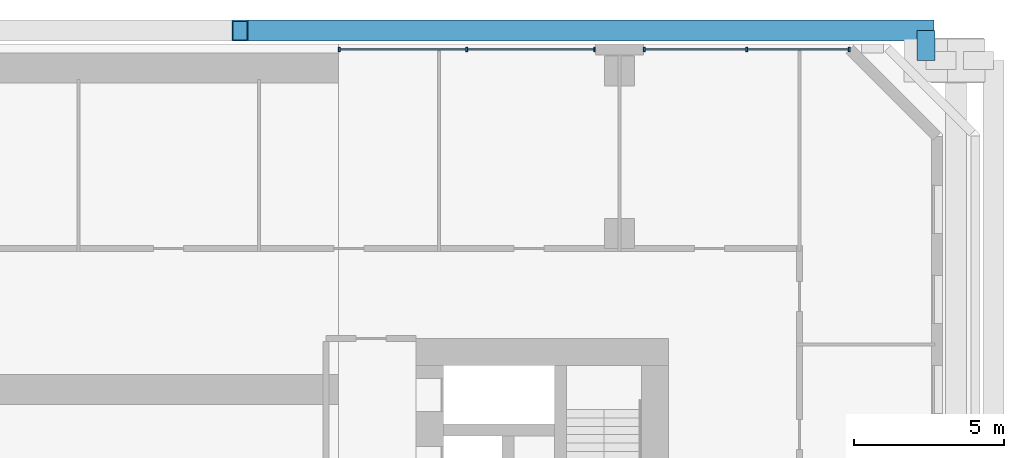
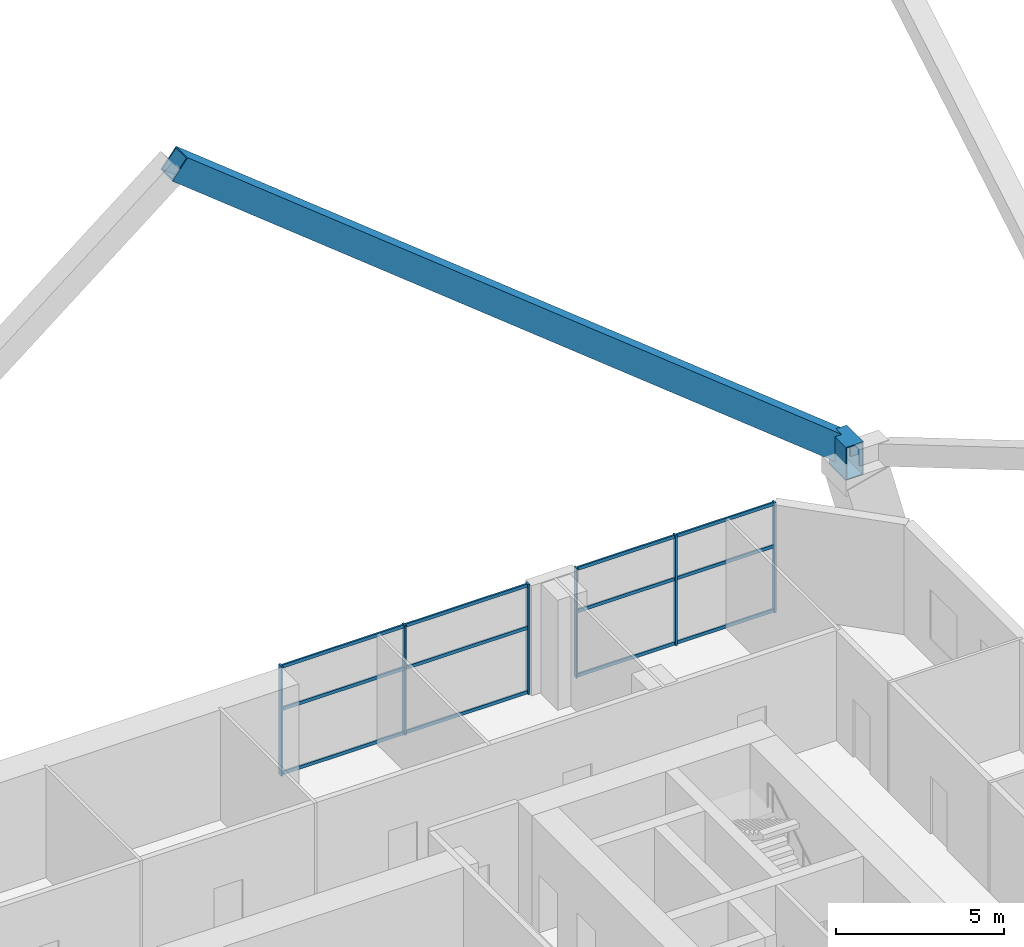
# One storey, part 14 of 25: 19 members, 1 beam, 2 elements without a shape of their own.
"""IFC4 building model written with IfcOpenShell, lengths in metres."""

from ifc_helpers import new_model, si_unit, direction, frame, origin, origin_2d, place, context, subcontext, project, spatial, rectangle, hollow_rectangle, extrude, material, material_profile, profile_set, type_object, element, aggregate, save


model = new_model("IFC4")

# Units and contexts
model_context = context("Model", 3, precision=1e-05, world=origin(), true_north=direction((0.0, 1.0)))
body_context = subcontext(model_context, "Body", "Model", "MODEL_VIEW")
ifc_project = project(units=[si_unit("LENGTHUNIT", "METRE"), si_unit("AREAUNIT", "SQUARE_METRE"), si_unit("VOLUMEUNIT", "CUBIC_METRE"), si_unit("PLANEANGLEUNIT", "RADIAN"), si_unit("MASSUNIT", "GRAM", prefix="KILO")], contexts=[model_context])

# Site, building, storey
site_placement = place(None, origin())
site = spatial("IfcSite", under=ifc_project, at=site_placement, CompositionType="ELEMENT")
building_placement = place(site_placement, origin())
building = spatial("IfcBuilding", under=site, at=building_placement, Name="Tuart Gate Housing", CompositionType="ELEMENT")
storey_placement = place(building_placement, frame((0.0, 0.0, 14.699951171875)))
storey = spatial("IfcBuildingStorey", under=building, at=storey_placement, Name="L03", CompositionType="ELEMENT", Elevation=14.699951171875)

# Beam
ifc_material_1 = material(Name="Steel Grade 350", Category="steel")
ifc_material_profile_1 = material_profile(ifc_material_1, hollow_rectangle(XDim=0.60009765625, YDim=1.199951171875, WallThickness=0.0400390625, at=origin_2d()), Name="BOX 1200x600x40")
ifc_profile_set_1 = profile_set([ifc_material_profile_1], Name="Steel Grade 350")
beam_type = type_object("IfcBeamType", Name="Brace shoe BOX 1200x600x40", PredefinedType="BEAM", material=ifc_profile_set_1)
beam_placement = place(storey_placement, frame((177.199951171875, 85.449951171875, 4.800048828125), z_axis=(0.0, 1.0, 0.0), x_axis=(-1.0, 0.0, 0.0)))
element("IfcBeam", 1, at=beam_placement, inside=storey, type_object=beam_type, Name="Mega brace shoe B zone 1 north chevron 2", PredefinedType="BEAM", context=body_context, shape_type="SweptSolid", body=[
    extrude(hollow_rectangle(XDim=0.60009765625, YDim=1.199951171875, WallThickness=0.0400390625, at=origin_2d()), origin(), (0.0, 0.0, 1.0), 1.0),
])

# Member
ifc_material_2 = material(Name="Steel Grade 350", Category="steel")
ifc_material_profile_2 = material_profile(ifc_material_2, hollow_rectangle(XDim=0.699951171875, YDim=0.85009765625, WallThickness=0.0419921875, at=origin_2d()), Name="BOX 850x700x42")
ifc_profile_set_2 = profile_set([ifc_material_profile_2], Name="Steel Grade 350")
member_type_1 = type_object("IfcMemberType", Name="Mega brace BOX 850x700x42", PredefinedType="BRACE", material=ifc_profile_set_2)
member_1_placement = place(storey_placement, frame((177.199951171875, 86.449951171875, 4.800048828125), z_axis=(-0.781870554364, 0.0, 0.623440804101), x_axis=(0.0, -1.0, 0.0)))
element("IfcMember", 2, at=member_1_placement, inside=storey, type_object=member_type_1, Name="Mega brace B zone 1 north chevron 2", PredefinedType="BRACE", context=body_context, shape_type="SweptSolid", body=[
    extrude(hollow_rectangle(XDim=0.699951171875, YDim=0.85009765625, WallThickness=0.0419921875, at=origin_2d()), origin(), (0.0, 0.0, 1.0), 29.19287109375),
])

# Curtain wall, members
ifc_material_3 = material(Name="Aluminium and clear glass", Category="aluminium")
curtain_wall_type = type_object("IfcCurtainWallType", Name="Community floor glazing", PredefinedType="USERDEFINED", material=ifc_material_3)
curtain_wall_1_placement = place(storey_placement, origin())
curtain_wall_1 = element("IfcCurtainWall", 3, at=curtain_wall_1_placement, inside=storey, type_object=curtain_wall_type, Name="Community floor glazing B-N L03", ObjectType="COMMUNITY FLOOR GLAZING", PredefinedType="USERDEFINED")
ifc_material_4 = material(Name="Anodised aluminium", Category="aluminium")
ifc_material_profile_3 = material_profile(ifc_material_4, rectangle(XDim=0.06005859375, YDim=0.159912109375, at=origin_2d()), Name="60x160")
ifc_profile_set_3 = profile_set([ifc_material_profile_3], Name="Anodised aluminium")
member_type_2 = type_object("IfcMemberType", Name="Mullion 60 x 160", PredefinedType="MULLION", material=ifc_profile_set_3)
member_2_placement = place(storey_placement, frame((174.6455078125, 85.820068359375, 0.0), z_axis=(0.0, 0.0, 1.0), x_axis=(-1.0, 0.0, 0.0)))
member_2 = element("IfcMember", 4, at=member_2_placement, type_object=member_type_2, Name="CW3 mullion 1", PredefinedType="MULLION", context=body_context, shape_type="SweptSolid", body=[
    extrude(rectangle(XDim=0.06005859375, YDim=0.159912109375, at=origin_2d()), origin(), (0.0, 0.0, 1.0), 4.0),
])
member_3_placement = place(storey_placement, frame((171.23779296875, 85.820068359375, 0.0), z_axis=(0.0, 0.0, 1.0), x_axis=(-1.0, 0.0, 0.0)))
member_3 = element("IfcMember", 5, at=member_3_placement, type_object=member_type_2, Name="CW3 mullion 2", PredefinedType="MULLION", context=body_context, shape_type="SweptSolid", body=[
    extrude(rectangle(XDim=0.06005859375, YDim=0.159912109375, at=origin_2d()), origin(), (0.0, 0.0, 1.0), 4.0),
])
member_4_placement = place(storey_placement, frame((167.830078125, 85.820068359375, 0.0), z_axis=(0.0, 0.0, 1.0), x_axis=(-1.0, 0.0, 0.0)))
member_4 = element("IfcMember", 6, at=member_4_placement, type_object=member_type_2, Name="CW3 mullion 3", PredefinedType="MULLION", context=body_context, shape_type="SweptSolid", body=[
    extrude(rectangle(XDim=0.06005859375, YDim=0.159912109375, at=origin_2d()), origin(), (0.0, 0.0, 1.0), 4.0),
])

curtain_wall_2_placement = place(storey_placement, origin())
curtain_wall_2 = element("IfcCurtainWall", 7, at=curtain_wall_2_placement, inside=storey, type_object=curtain_wall_type, Name="Community floor glazing B-N L03", ObjectType="COMMUNITY FLOOR GLAZING", PredefinedType="USERDEFINED")
member_5_placement = place(storey_placement, frame((166.169921875, 85.820068359375, 0.0), z_axis=(0.0, 0.0, 1.0), x_axis=(-1.0, 0.0, 0.0)))
member_5 = element("IfcMember", 8, at=member_5_placement, type_object=member_type_2, Name="CW3 mullion 1", PredefinedType="MULLION", context=body_context, shape_type="SweptSolid", body=[
    extrude(rectangle(XDim=0.06005859375, YDim=0.159912109375, at=origin_2d()), origin(), (0.0, 0.0, 1.0), 4.0),
])
member_6_placement = place(storey_placement, frame((161.925048828125, 85.820068359375, 0.0), z_axis=(0.0, 0.0, 1.0), x_axis=(-1.0, 0.0, 0.0)))
member_6 = element("IfcMember", 9, at=member_6_placement, type_object=member_type_2, Name="CW3 mullion 2", PredefinedType="MULLION", context=body_context, shape_type="SweptSolid", body=[
    extrude(rectangle(XDim=0.06005859375, YDim=0.159912109375, at=origin_2d()), origin(), (0.0, 0.0, 1.0), 4.0),
])
member_7_placement = place(storey_placement, frame((157.679931640625, 85.820068359375, 0.0), z_axis=(0.0, 0.0, 1.0), x_axis=(-1.0, 0.0, 0.0)))
member_7 = element("IfcMember", 10, at=member_7_placement, type_object=member_type_2, Name="CW3 mullion 3", PredefinedType="MULLION", context=body_context, shape_type="SweptSolid", body=[
    extrude(rectangle(XDim=0.06005859375, YDim=0.159912109375, at=origin_2d()), origin(), (0.0, 0.0, 1.0), 4.0),
])

# Member
ifc_material_5 = material(Name="Anodised aluminium", Category="aluminium")
ifc_material_profile_4 = material_profile(ifc_material_5, rectangle(XDim=0.06005859375, YDim=0.1201171875, at=origin_2d()), Name="60x120")
ifc_profile_set_4 = profile_set([ifc_material_profile_4], Name="Anodised aluminium")
member_type_3 = type_object("IfcMemberType", Name="Transom 60 x 120", PredefinedType="USERDEFINED", material=ifc_profile_set_4)
member_8_placement = place(storey_placement, frame((174.615478515625, 85.820068359375, 0.06005859375), z_axis=(-1.0, 0.0, 0.0), x_axis=(0.0, -1.0, 0.0)))
member_8 = element("IfcMember", 11, at=member_8_placement, type_object=member_type_3, Name="CW3 transom 1.1", ObjectType="TRANSOM", PredefinedType="USERDEFINED", context=body_context, shape_type="SweptSolid", body=[
    extrude(rectangle(XDim=0.06005859375, YDim=0.1201171875, at=origin_2d()), origin(), (0.0, 0.0, 1.0), 3.347900390625),
])

member_9_placement = place(storey_placement, frame((174.615478515625, 85.820068359375, 2.400146484375), z_axis=(-1.0, 0.0, 0.0), x_axis=(0.0, -1.0, 0.0)))
member_9 = element("IfcMember", 12, at=member_9_placement, type_object=member_type_3, Name="CW3 transom 1.2", ObjectType="TRANSOM", PredefinedType="USERDEFINED", context=body_context, shape_type="SweptSolid", body=[
    extrude(rectangle(XDim=0.06005859375, YDim=0.1201171875, at=origin_2d()), origin(), (0.0, 0.0, 1.0), 3.347900390625),
])

member_10_placement = place(storey_placement, frame((174.615478515625, 85.820068359375, 3.93994140625), z_axis=(-1.0, 0.0, 0.0), x_axis=(0.0, -1.0, 0.0)))
member_10 = element("IfcMember", 13, at=member_10_placement, type_object=member_type_3, Name="CW3 transom 1.3", ObjectType="TRANSOM", PredefinedType="USERDEFINED", context=body_context, shape_type="SweptSolid", body=[
    extrude(rectangle(XDim=0.06005859375, YDim=0.1201171875, at=origin_2d()), origin(), (0.0, 0.0, 1.0), 3.347900390625),
])

member_11_placement = place(storey_placement, frame((171.207763671875, 85.820068359375, 0.06005859375), z_axis=(-1.0, 0.0, 0.0), x_axis=(0.0, -1.0, 0.0)))
member_11 = element("IfcMember", 14, at=member_11_placement, type_object=member_type_3, Name="CW3 transom 2.1", ObjectType="TRANSOM", PredefinedType="USERDEFINED", context=body_context, shape_type="SweptSolid", body=[
    extrude(rectangle(XDim=0.06005859375, YDim=0.1201171875, at=origin_2d()), origin(), (0.0, 0.0, 1.0), 3.34765625),
])

member_12_placement = place(storey_placement, frame((171.207763671875, 85.820068359375, 2.400146484375), z_axis=(-1.0, 0.0, 0.0), x_axis=(0.0, -1.0, 0.0)))
member_12 = element("IfcMember", 15, at=member_12_placement, type_object=member_type_3, Name="CW3 transom 2.2", ObjectType="TRANSOM", PredefinedType="USERDEFINED", context=body_context, shape_type="SweptSolid", body=[
    extrude(rectangle(XDim=0.06005859375, YDim=0.1201171875, at=origin_2d()), origin(), (0.0, 0.0, 1.0), 3.34765625),
])

member_13_placement = place(storey_placement, frame((171.207763671875, 85.820068359375, 3.93994140625), z_axis=(-1.0, 0.0, 0.0), x_axis=(0.0, -1.0, 0.0)))
member_13 = element("IfcMember", 16, at=member_13_placement, type_object=member_type_3, Name="CW3 transom 2.3", ObjectType="TRANSOM", PredefinedType="USERDEFINED", context=body_context, shape_type="SweptSolid", body=[
    extrude(rectangle(XDim=0.06005859375, YDim=0.1201171875, at=origin_2d()), origin(), (0.0, 0.0, 1.0), 3.34765625),
])

aggregate(curtain_wall_1, [member_2, member_3, member_4, member_8, member_9, member_10, member_11, member_12, member_13])

member_14_placement = place(storey_placement, frame((166.139892578125, 85.820068359375, 0.06005859375), z_axis=(-1.0, 0.0, 0.0), x_axis=(0.0, -1.0, 0.0)))
member_14 = element("IfcMember", 17, at=member_14_placement, type_object=member_type_3, Name="CW3 transom 1.1", ObjectType="TRANSOM", PredefinedType="USERDEFINED", context=body_context, shape_type="SweptSolid", body=[
    extrude(rectangle(XDim=0.06005859375, YDim=0.1201171875, at=origin_2d()), origin(), (0.0, 0.0, 1.0), 4.184814453125),
])

member_15_placement = place(storey_placement, frame((166.139892578125, 85.820068359375, 2.400146484375), z_axis=(-1.0, 0.0, 0.0), x_axis=(0.0, -1.0, 0.0)))
member_15 = element("IfcMember", 18, at=member_15_placement, type_object=member_type_3, Name="CW3 transom 1.2", ObjectType="TRANSOM", PredefinedType="USERDEFINED", context=body_context, shape_type="SweptSolid", body=[
    extrude(rectangle(XDim=0.06005859375, YDim=0.1201171875, at=origin_2d()), origin(), (0.0, 0.0, 1.0), 4.184814453125),
])

member_16_placement = place(storey_placement, frame((166.139892578125, 85.820068359375, 3.93994140625), z_axis=(-1.0, 0.0, 0.0), x_axis=(0.0, -1.0, 0.0)))
member_16 = element("IfcMember", 19, at=member_16_placement, type_object=member_type_3, Name="CW3 transom 1.3", ObjectType="TRANSOM", PredefinedType="USERDEFINED", context=body_context, shape_type="SweptSolid", body=[
    extrude(rectangle(XDim=0.06005859375, YDim=0.1201171875, at=origin_2d()), origin(), (0.0, 0.0, 1.0), 4.184814453125),
])

member_17_placement = place(storey_placement, frame((161.89501953125, 85.820068359375, 0.06005859375), z_axis=(-1.0, 0.0, 0.0), x_axis=(0.0, -1.0, 0.0)))
member_17 = element("IfcMember", 20, at=member_17_placement, type_object=member_type_3, Name="CW3 transom 2.1", ObjectType="TRANSOM", PredefinedType="USERDEFINED", context=body_context, shape_type="SweptSolid", body=[
    extrude(rectangle(XDim=0.06005859375, YDim=0.1201171875, at=origin_2d()), origin(), (0.0, 0.0, 1.0), 4.18505859375),
])

member_18_placement = place(storey_placement, frame((161.89501953125, 85.820068359375, 2.400146484375), z_axis=(-1.0, 0.0, 0.0), x_axis=(0.0, -1.0, 0.0)))
member_18 = element("IfcMember", 21, at=member_18_placement, type_object=member_type_3, Name="CW3 transom 2.2", ObjectType="TRANSOM", PredefinedType="USERDEFINED", context=body_context, shape_type="SweptSolid", body=[
    extrude(rectangle(XDim=0.06005859375, YDim=0.1201171875, at=origin_2d()), origin(), (0.0, 0.0, 1.0), 4.18505859375),
])

member_19_placement = place(storey_placement, frame((161.89501953125, 85.820068359375, 3.93994140625), z_axis=(-1.0, 0.0, 0.0), x_axis=(0.0, -1.0, 0.0)))
member_19 = element("IfcMember", 22, at=member_19_placement, type_object=member_type_3, Name="CW3 transom 2.3", ObjectType="TRANSOM", PredefinedType="USERDEFINED", context=body_context, shape_type="SweptSolid", body=[
    extrude(rectangle(XDim=0.06005859375, YDim=0.1201171875, at=origin_2d()), origin(), (0.0, 0.0, 1.0), 4.18505859375),
])

aggregate(curtain_wall_2, [member_5, member_6, member_7, member_14, member_15, member_16, member_17, member_18, member_19])

save(model, "model.ifc")
